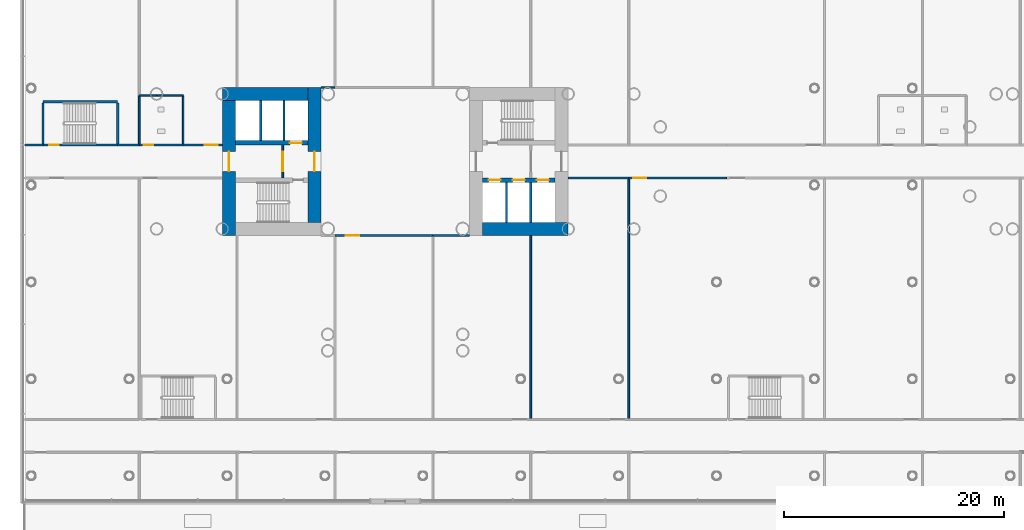
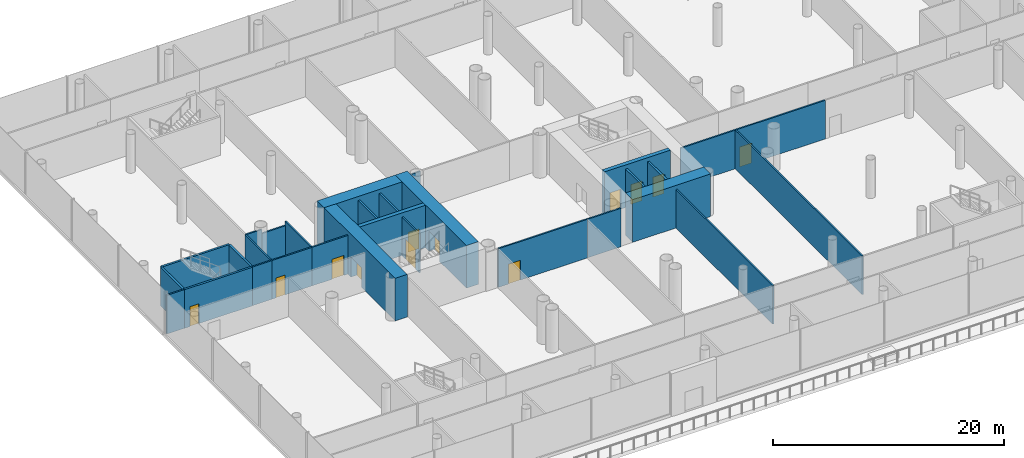
# One storey, part 18 of 49: 30 walls, 12 doors, 12 openings.
"""IFC4 building model written with IfcOpenShell, lengths in metres."""

import ifcopenshell
import ifcopenshell.guid

model = None  # the IFC model being written
_history = None  # IfcOwnerHistory: only IFC2X3 demands one
_inside = {}  # id of a spatial element -> (the spatial element, [elements in it])
_under = {}  # id of a project, library or spatial element -> (it, [spatial elements below it])
_declared = {}  # id of a project -> (the project, [libraries it declares])
_typed = {}  # id of a type object -> (the type object, [elements of that type])
_made_of = {}  # id of a material, layer set ... -> (it, [elements and type objects made of it])


def new_model(schema):
    """Start an empty IFC model of exactly this schema.

    Asked for "IFC4X3", IfcOpenShell would pick the latest addendum, in which some entities
    have other attributes; the version numbers below select the first issue.
    IFC2X3 requires an IfcOwnerHistory on every rooted entity: one is made here for all.
    """
    global model, _history
    if schema == "IFC4X3":
        model = ifcopenshell.file(schema_version=(4, 3, 0, 0))
    else:
        model = ifcopenshell.file(schema=schema)
    _inside.clear()
    _under.clear()
    _declared.clear()
    _typed.clear()
    _made_of.clear()
    _history = None
    if model.schema == "IFC2X3":
        org = make("IfcOrganization", Name="unknown")
        user = make(
            "IfcPersonAndOrganization",
            ThePerson=make("IfcPerson", FamilyName="unknown"),
            TheOrganization=org,
        )
        app = make(
            "IfcApplication",
            ApplicationDeveloper=org,
            Version="unknown",
            ApplicationFullName="unknown",
            ApplicationIdentifier="unknown",
        )
        _history = make(
            "IfcOwnerHistory",
            OwningUser=user,
            OwningApplication=app,
            ChangeAction="ADDED",
            CreationDate=0,
        )
    return model


def make(cls, **values):
    """One entity of the class cls with the attributes given. An attribute that is None is left unset."""
    return model.create_entity(
        cls, **{name: value for name, value in values.items() if value is not None}
    )


def rooted(cls, **values):
    """An entity with a GlobalId (a new one), such as an element, a storey or a relation."""
    return make(cls, GlobalId=ifcopenshell.guid.new(), OwnerHistory=_history, **values)


def si_unit(unit_type, name, prefix=None):
    """IfcSIUnit, for example si_unit("LENGTHUNIT", "METRE", prefix="MILLI")."""
    return make("IfcSIUnit", UnitType=unit_type, Prefix=prefix, Name=name)


def assignment(units):
    """IfcUnitAssignment: the units of a project."""
    return None if units is None else make("IfcUnitAssignment", Units=units)


def point(xyz):
    """IfcCartesianPoint."""
    return None if xyz is None else make("IfcCartesianPoint", Coordinates=xyz)


def direction(xyz):
    """IfcDirection."""
    return None if xyz is None else make("IfcDirection", DirectionRatios=xyz)


def frame(location, z_axis=None, x_axis=None):
    """IfcAxis2Placement3D, a coordinate frame: its origin and axes. An axis left out is left unset."""
    return make(
        "IfcAxis2Placement3D",
        Location=point(location),
        Axis=direction(z_axis),
        RefDirection=direction(x_axis),
    )


def frame_2d(location, x_axis=None):
    """IfcAxis2Placement2D, a coordinate frame in the plane: its origin and x axis."""
    return make(
        "IfcAxis2Placement2D", Location=point(location), RefDirection=direction(x_axis)
    )


def origin():
    """The frame at (0, 0, 0) with its axes left unset."""
    return frame((0.0, 0.0, 0.0))


def place(relative_to, where):
    """IfcLocalPlacement: puts the frame where relative to a parent placement (None: the world)."""
    return make(
        "IfcLocalPlacement", PlacementRelTo=relative_to, RelativePlacement=where
    )


def context(
    kind, dimensions, precision=None, world=None, true_north=None, identifier=None
):
    """IfcGeometricRepresentationContext, for example the 3D "Model" context."""
    return make(
        "IfcGeometricRepresentationContext",
        ContextIdentifier=identifier,
        ContextType=kind,
        CoordinateSpaceDimension=dimensions,
        Precision=precision,
        WorldCoordinateSystem=world,
        TrueNorth=true_north,
    )


def subcontext(parent, identifier, kind, view, scale=None):
    """IfcGeometricRepresentationSubContext, for example "Body" below "Model"."""
    return make(
        "IfcGeometricRepresentationSubContext",
        ContextIdentifier=identifier,
        ContextType=kind,
        ParentContext=parent,
        TargetScale=scale,
        TargetView=view,
    )


def project(units=None, contexts=None):
    """IfcProject with its units and contexts."""
    return rooted(
        "IfcProject",
        Name="project",
        RepresentationContexts=contexts,
        UnitsInContext=assignment(units),
    )


def spatial(cls, under=None, at=None, **own):
    """A site, building, storey or space (cls), placed at a placement, below another one or the project."""
    s = rooted(cls, ObjectPlacement=at, **own)
    if under is not None:
        _under.setdefault(under.id(), (under, []))[1].append(s)
    return s


def profile(cls, at=None, kind="AREA", **sizes):
    """A parametric profile (cls). Its sizes go by their IFC names, for example OverallWidth=200.0."""
    return make(cls, ProfileType=kind, Position=at, **sizes)


def rectangle(**sizes):
    """IfcRectangleProfileDef."""
    return profile("IfcRectangleProfileDef", **sizes)


def extrude(swept, where, along, depth):
    """IfcExtrudedAreaSolid: the profile swept, set in the frame where, extruded along a direction by depth."""
    return make(
        "IfcExtrudedAreaSolid",
        SweptArea=swept,
        Position=where,
        ExtrudedDirection=direction(along),
        Depth=depth,
    )


def shape(context_of_items, identifier, shape_type, items):
    """IfcShapeRepresentation: the items that make up one representation, for example the "Body"."""
    return make(
        "IfcShapeRepresentation",
        ContextOfItems=context_of_items,
        RepresentationIdentifier=identifier,
        RepresentationType=shape_type,
        Items=items,
    )


def material(Name=None, Category=None):
    """IfcMaterial."""
    return make("IfcMaterial", Name=Name, Category=Category)


def layer(
    of_material, thickness, ventilated=None, Name=None, Category=None, Priority=None
):
    """IfcMaterialLayer: one layer of a wall or slab, of a material (None: an air gap)."""
    return make(
        "IfcMaterialLayer",
        Material=of_material,
        LayerThickness=thickness,
        IsVentilated=ventilated,
        Name=Name,
        Category=Category,
        Priority=Priority,
    )


def layer_set(layers, Name=None):
    """IfcMaterialLayerSet."""
    return make("IfcMaterialLayerSet", MaterialLayers=layers, LayerSetName=Name)


def made_of(thing, what):
    """Note that an element or type object is made of a material, layer set ...; save() writes the relation."""
    if what is not None:
        _made_of.setdefault(what.id(), (what, []))[1].append(thing)
    return thing


def type_object(cls, material=None, **own):
    """A type object (cls), such as IfcWallType, which elements share."""
    return made_of(rooted(cls, **own), material)


def element(
    cls,
    number,
    at=None,
    inside=None,
    cuts=None,
    type_object=None,
    material=None,
    context=None,
    identifier="Body",
    shape_type=None,
    held_by="IfcProductDefinitionShape",
    body=None,
    shapes=None,
    **own,
):
    """One element of the class cls, such as IfcWall. Its Tag is "e" and its number.

    at: its placement. inside: the storey or other place that contains it. cuts: it is an
    opening in that element (IfcRelVoidsElement). A single representation is given by context,
    identifier, shape_type and body (its items); several are given by shapes. held_by: the class
    of the entity that holds the representations. save() writes the other relations.
    """
    e = rooted(cls, Tag="e%d" % number, ObjectPlacement=at, **own)
    if body is not None:
        shapes = [shape(context, identifier, shape_type, body)]
    if shapes is not None:
        e.Representation = make(held_by, Representations=shapes)
    if inside is not None:
        _inside.setdefault(inside.id(), (inside, []))[1].append(e)
    if cuts is not None:
        rooted(
            "IfcRelVoidsElement", RelatingBuildingElement=cuts, RelatedOpeningElement=e
        )
    if type_object is not None:
        _typed.setdefault(type_object.id(), (type_object, []))[1].append(e)
    return made_of(e, material)


def fill(opening, filler):
    """IfcRelFillsElement: the door or window that sits in an opening."""
    return rooted(
        "IfcRelFillsElement",
        RelatingOpeningElement=opening,
        RelatedBuildingElement=filler,
    )


def aggregate(whole, parts):
    """IfcRelAggregates: a whole, such as a stair, and the parts it consists of."""
    return rooted("IfcRelAggregates", RelatingObject=whole, RelatedObjects=parts)


def save(model, path):
    """Write the relations noted so far, then the file.

    IfcRelAggregates (storeys below a building ...), IfcRelContainedInSpatialStructure (elements
    in a storey), IfcRelDefinesByType, IfcRelAssociatesMaterial and IfcRelDeclares: one each for
    every whole, place, type object, material and project.
    """
    for whole, parts in _under.values():
        aggregate(whole, parts)
    for where, things in _inside.values():
        rooted(
            "IfcRelContainedInSpatialStructure",
            RelatedElements=things,
            RelatingStructure=where,
        )
    for kind, things in _typed.values():
        rooted("IfcRelDefinesByType", RelatedObjects=things, RelatingType=kind)
    for what, things in _made_of.values():
        rooted("IfcRelAssociatesMaterial", RelatedObjects=things, RelatingMaterial=what)
    for by, libraries in _declared.values():
        rooted("IfcRelDeclares", RelatingContext=by, RelatedDefinitions=libraries)
    model.write(path)


model = new_model("IFC4")

# Units and contexts
model_context = context("Model", 3, precision=1e-05, world=origin(), true_north=direction((0.0, 1.0)))
body_context = subcontext(model_context, "Body", "Model", "MODEL_VIEW")
ifc_project = project(units=[si_unit("LENGTHUNIT", "METRE"), si_unit("AREAUNIT", "SQUARE_METRE"), si_unit("VOLUMEUNIT", "CUBIC_METRE"), si_unit("PLANEANGLEUNIT", "RADIAN"), si_unit("MASSUNIT", "GRAM", prefix="KILO")], contexts=[model_context])

# Site, building, storey
site_placement = place(None, origin())
site = spatial("IfcSite", under=ifc_project, at=site_placement, CompositionType="ELEMENT")
building_placement = place(site_placement, origin())
building = spatial("IfcBuilding", under=site, at=building_placement, Name="Ipe Terrace Towers", CompositionType="ELEMENT")
storey_placement = place(building_placement, frame((0.0, 0.0, 20.0)))
storey = spatial("IfcBuildingStorey", under=building, at=storey_placement, Name="L04", CompositionType="ELEMENT", Elevation=20.0)

# Wall, opening, door
ifc_material_1 = material(Name="Gypsum board partition", Category="plasterboard")
ifc_layer_1 = layer(ifc_material_1, 0.14990234375)
ifc_layer_set_1 = layer_set([ifc_layer_1], Name="Gypsum board partition 150 mm")
wall_type_1 = type_object("IfcWallType", Name="Gypsum board partition 150 mm", PredefinedType="PARTITIONING", material=ifc_layer_set_1)
wall_1_placement = place(storey_placement, frame((-46.25, 1.5, 0.0), z_axis=(0.0, 0.0, 1.0), x_axis=(0.0, -1.0, 0.0)))
wall_1 = element("IfcWall", 1, at=wall_1_placement, inside=storey, type_object=wall_type_1, Name="Gypsum board partition T1 L04 t1c2-lobby-wall", PredefinedType="PARTITIONING", context=body_context, shape_type="SweptSolid", body=[
    extrude(rectangle(XDim=3.0, YDim=0.14990234375, at=frame_2d((1.5, 0.0))), origin(), (0.0, 0.0, 1.0), 4.074951171875),
])
opening_1_placement = place(wall_1_placement, frame((0.60009765625, 0.0, 0.0)))
opening_1 = element("IfcOpeningElement", 2, at=opening_1_placement, cuts=wall_1, Name="Opening T1C2-VD", PredefinedType="OPENING", context=body_context, shape_type="SweptSolid", body=[
    extrude(rectangle(XDim=1.800048828125, YDim=2.10009765625, at=frame_2d((0.89990234375, 1.050048828125))), frame((0.0, 0.0849609375, 0.0), z_axis=(0.0, -1.0, 0.0), x_axis=(1.0, 0.0, 0.0)), (0.0, 0.0, 1.0), 0.169921875),
])
ifc_material_2 = material(Name="Fire-rated timber door leaf", Category="wood")
door_type_1 = type_object("IfcDoorType", Name="Lobby door 1800 x 2100 FD60", OperationType="NOTDEFINED", PredefinedType="DOOR", material=ifc_material_2)
door_1_placement = place(opening_1_placement, origin())
door_1 = element("IfcDoor", 3, at=door_1_placement, inside=storey, type_object=door_type_1, Name="Lobby door T1C2-VD", OperationType="SINGLE_SWING_LEFT", OverallHeight=2.10009765625, OverallWidth=1.800048828125, PredefinedType="DOOR", context=body_context, shape_type="SweptSolid", body=[
    extrude(rectangle(XDim=1.800048828125, YDim=2.10009765625, at=frame_2d((0.89990234375, 1.050048828125))), frame((0.0, 0.02490234375, 0.0), z_axis=(0.0, -1.0, 0.0), x_axis=(1.0, 0.0, 0.0)), (0.0, 0.0, 1.0), 0.050048828125),
])
fill(opening_1, door_1)

# Walls
wall_2_placement = place(storey_placement, frame((-59.330078125, 1.5, 0.0), z_axis=(0.0, 0.0, 1.0), x_axis=(-1.0, 0.0, 0.0)))
element("IfcWall", 4, at=wall_2_placement, inside=storey, type_object=wall_type_1, Name="Gypsum board partition T1 L04 pd-r2-w5", PredefinedType="PARTITIONING", context=body_context, shape_type="SweptSolid", body=[
    extrude(rectangle(XDim=1.9599609375, YDim=0.14990234375, at=frame_2d((0.97998046875, 0.0))), origin(), (0.0, 0.0, 1.0), 4.074951171875),
])
wall_3_placement = place(storey_placement, frame((-68.090087890625, 1.5, 0.0), z_axis=(0.0, 0.0, 1.0), x_axis=(-1.0, 0.0, 0.0)))
element("IfcWall", 5, at=wall_3_placement, inside=storey, type_object=wall_type_1, Name="Gypsum board partition T1 L04 pd-r2-w6", PredefinedType="PARTITIONING", context=body_context, shape_type="SweptSolid", body=[
    extrude(rectangle(XDim=1.760009765625, YDim=0.14990234375, at=frame_2d((0.8798828125, 0.0))), origin(), (0.0, 0.0, 1.0), 4.074951171875),
])

# Wall, opening, door
wall_4_placement = place(storey_placement, frame((-51.75, 1.5, 0.0), z_axis=(0.0, 0.0, 1.0), x_axis=(-1.0, 0.0, 0.0)))
wall_4 = element("IfcWall", 6, at=wall_4_placement, inside=storey, type_object=wall_type_1, Name="Gypsum board partition T1 L04 pd-r7-w17", PredefinedType="PARTITIONING", context=body_context, shape_type="SweptSolid", body=[
    extrude(rectangle(XDim=3.580078125, YDim=0.14990234375, at=frame_2d((1.7900390625, 0.0))), origin(), (0.0, 0.0, 1.0), 4.074951171875),
])
opening_2_placement = place(wall_4_placement, frame((0.39990234375, 0.0, 0.0)))
opening_2 = element("IfcOpeningElement", 7, at=opening_2_placement, cuts=wall_4, Name="Opening PD-L04-r7", PredefinedType="OPENING", context=body_context, shape_type="SweptSolid", body=[
    extrude(rectangle(XDim=1.199951171875, YDim=2.10009765625, at=frame_2d((0.60009765625, 1.050048828125))), frame((0.0, 0.0849609375, 0.0), z_axis=(0.0, -1.0, 0.0), x_axis=(1.0, 0.0, 0.0)), (0.0, 0.0, 1.0), 0.169921875),
])
ifc_material_3 = material(Name="Fire-rated timber door leaf", Category="wood")
door_type_2 = type_object("IfcDoorType", Name="Lounge door 1200 x 2100 FD30S", OperationType="NOTDEFINED", PredefinedType="DOOR", material=ifc_material_3)
door_2_placement = place(opening_2_placement, origin())
door_2 = element("IfcDoor", 8, at=door_2_placement, inside=storey, type_object=door_type_2, Name="Lounge door PD-L04-r7", OperationType="SINGLE_SWING_RIGHT", OverallHeight=2.10009765625, OverallWidth=1.199951171875, PredefinedType="DOOR", context=body_context, shape_type="SweptSolid", body=[
    extrude(rectangle(XDim=1.199951171875, YDim=2.10009765625, at=frame_2d((0.60009765625, 1.050048828125))), frame((0.0, 0.02490234375, 0.0), z_axis=(0.0, -1.0, 0.0), x_axis=(1.0, 0.0, 0.0)), (0.0, 0.0, 1.0), 0.050048828125),
])
fill(opening_2, door_2)

# Wall
wall_5_placement = place(storey_placement, frame((-41.489990234375, 6.75, 0.0), z_axis=(0.0, 0.0, 1.0), x_axis=(-1.0, 0.0, 0.0)))
element("IfcWall", 9, at=wall_5_placement, inside=storey, type_object=wall_type_1, Name="Gypsum board partition T1 L04 pd-r11-w26", PredefinedType="PARTITIONING", context=body_context, shape_type="SweptSolid", body=[
    extrude(rectangle(XDim=1.260009765625, YDim=0.14990234375, at=frame_2d((0.6298828125, 0.0))), origin(), (0.0, 0.0, 1.0), 4.074951171875),
])

# Wall, opening, door
wall_6_placement = place(storey_placement, frame((-41.489990234375, -6.75, 0.0), z_axis=(0.0, 0.0, 1.0), x_axis=(1.0, 0.0, 0.0)))
wall_6 = element("IfcWall", 10, at=wall_6_placement, inside=storey, type_object=wall_type_1, Name="Gypsum board partition T1 L04 pd-r13-w32", PredefinedType="PARTITIONING", context=body_context, shape_type="SweptSolid", body=[
    extrude(rectangle(XDim=8.919921875, YDim=0.14990234375, at=frame_2d((4.4599609375, 0.0))), origin(), (0.0, 0.0, 1.0), 4.074951171875),
])
opening_3_placement = place(wall_6_placement, frame((1.0, 0.0, 0.0)))
opening_3 = element("IfcOpeningElement", 11, at=opening_3_placement, cuts=wall_6, Name="Opening PD-L04-r13", PredefinedType="OPENING", context=body_context, shape_type="SweptSolid", body=[
    extrude(rectangle(XDim=1.199951171875, YDim=2.10009765625, at=frame_2d((0.60009765625, 1.050048828125))), frame((0.0, 0.0849609375, 0.0), z_axis=(0.0, -1.0, 0.0), x_axis=(1.0, 0.0, 0.0)), (0.0, 0.0, 1.0), 0.169921875),
])
door_3_placement = place(opening_3_placement, origin())
door_3 = element("IfcDoor", 12, at=door_3_placement, inside=storey, type_object=door_type_2, Name="Lounge door PD-L04-r13", OperationType="SINGLE_SWING_RIGHT", OverallHeight=2.10009765625, OverallWidth=1.199951171875, PredefinedType="DOOR", context=body_context, shape_type="SweptSolid", body=[
    extrude(rectangle(XDim=1.199951171875, YDim=2.10009765625, at=frame_2d((0.60009765625, 1.050048828125))), frame((0.0, 0.02490234375, 0.0), z_axis=(0.0, -1.0, 0.0), x_axis=(1.0, 0.0, 0.0)), (0.0, 0.0, 1.0), 0.050048828125),
])
fill(opening_3, door_3)

# Walls
wall_7_placement = place(storey_placement, frame((-32.570068359375, -6.75, 0.0), z_axis=(0.0, 0.0, 1.0), x_axis=(1.0, 0.0, 0.0)))
element("IfcWall", 13, at=wall_7_placement, inside=storey, type_object=wall_type_1, Name="Gypsum board partition T1 L04 pd-r17-w43", PredefinedType="PARTITIONING", context=body_context, shape_type="SweptSolid", body=[
    extrude(rectangle(XDim=3.320068359375, YDim=0.14990234375, at=frame_2d((1.66015625, 0.0))), origin(), (0.0, 0.0, 1.0), 4.074951171875),
])
wall_8_placement = place(storey_placement, frame((-23.64990234375, -6.75, 0.0), z_axis=(0.0, 0.0, 1.0), x_axis=(0.0, -1.0, 0.0)))
element("IfcWall", 14, at=wall_8_placement, inside=storey, type_object=wall_type_1, Name="Gypsum board partition T1 L04 pd-r17-r22-w45", PredefinedType="PARTITIONING", context=body_context, shape_type="SweptSolid", body=[
    extrude(rectangle(XDim=16.75, YDim=0.14990234375, at=frame_2d((8.375, 0.0))), origin(), (0.0, 0.0, 1.0), 4.074951171875),
])
wall_9_placement = place(storey_placement, frame((-20.25, -1.5, 0.0), z_axis=(0.0, 0.0, 1.0), x_axis=(1.0, 0.0, 0.0)))
element("IfcWall", 15, at=wall_9_placement, inside=storey, type_object=wall_type_1, Name="Gypsum board partition T1 L04 pd-r22-w55", PredefinedType="PARTITIONING", context=body_context, shape_type="SweptSolid", body=[
    extrude(rectangle(XDim=5.52001953125, YDim=0.14990234375, at=frame_2d((2.760009765625, 0.0))), origin(), (0.0, 0.0, 1.0), 4.074951171875),
])
wall_10_placement = place(storey_placement, frame((-14.72998046875, -1.5, 0.0), z_axis=(0.0, 0.0, 1.0), x_axis=(0.0, -1.0, 0.0)))
element("IfcWall", 16, at=wall_10_placement, inside=storey, type_object=wall_type_1, Name="Gypsum board partition T1 L04 pd-r22-r25-w57", PredefinedType="PARTITIONING", context=body_context, shape_type="SweptSolid", body=[
    extrude(rectangle(XDim=22.0, YDim=0.14990234375, at=frame_2d((11.0, 0.0))), origin(), (0.0, 0.0, 1.0), 4.074951171875),
])

# Wall, opening, door
wall_11_placement = place(storey_placement, frame((-14.72998046875, -1.5, 0.0), z_axis=(0.0, 0.0, 1.0), x_axis=(1.0, 0.0, 0.0)))
wall_11 = element("IfcWall", 17, at=wall_11_placement, inside=storey, type_object=wall_type_1, Name="Gypsum board partition T1 L04 pd-r25-w62", PredefinedType="PARTITIONING", context=body_context, shape_type="SweptSolid", body=[
    extrude(rectangle(XDim=8.919921875, YDim=0.14990234375, at=frame_2d((4.4599609375, 0.0))), origin(), (0.0, 0.0, 1.0), 4.074951171875),
])
opening_4_placement = place(wall_11_placement, frame((0.39990234375, 0.0, 0.0)))
opening_4 = element("IfcOpeningElement", 18, at=opening_4_placement, cuts=wall_11, Name="Opening PD-L04-r25", PredefinedType="OPENING", context=body_context, shape_type="SweptSolid", body=[
    extrude(rectangle(XDim=1.199951171875, YDim=2.10009765625, at=frame_2d((0.60009765625, 1.050048828125))), frame((0.0, 0.0849609375, 0.0), z_axis=(0.0, -1.0, 0.0), x_axis=(1.0, 0.0, 0.0)), (0.0, 0.0, 1.0), 0.169921875),
])
door_4_placement = place(opening_4_placement, origin())
door_4 = element("IfcDoor", 19, at=door_4_placement, inside=storey, type_object=door_type_2, Name="Lounge door PD-L04-r25", OperationType="SINGLE_SWING_RIGHT", OverallHeight=2.10009765625, OverallWidth=1.199951171875, PredefinedType="DOOR", context=body_context, shape_type="SweptSolid", body=[
    extrude(rectangle(XDim=1.199951171875, YDim=2.10009765625, at=frame_2d((0.60009765625, 1.050048828125))), frame((0.0, 0.02490234375, 0.0), z_axis=(0.0, -1.0, 0.0), x_axis=(1.0, 0.0, 0.0)), (0.0, 0.0, 1.0), 0.050048828125),
])
fill(opening_4, door_4)

wall_12_placement = place(storey_placement, frame((-59.330078125, 1.5, 0.0), z_axis=(0.0, 0.0, 1.0), x_axis=(1.0, 0.0, 0.0)))
wall_12 = element("IfcWall", 20, at=wall_12_placement, inside=storey, type_object=wall_type_1, Name="Gypsum board partition T1 L04 pd-c0-w67", PredefinedType="PARTITIONING", context=body_context, shape_type="SweptSolid", body=[
    extrude(rectangle(XDim=4.0, YDim=0.14990234375, at=frame_2d((2.0, 0.0))), origin(), (0.0, 0.0, 1.0), 4.074951171875),
])
opening_5_placement = place(wall_12_placement, frame((0.39990234375, 0.0, 0.0)))
opening_5 = element("IfcOpeningElement", 21, at=opening_5_placement, cuts=wall_12, Name="Opening PD-L04-c0", PredefinedType="OPENING", context=body_context, shape_type="SweptSolid", body=[
    extrude(rectangle(XDim=0.89990234375, YDim=2.10009765625, at=frame_2d((0.449951171875, 1.050048828125))), frame((0.0, 0.0849609375, 0.0), z_axis=(0.0, -1.0, 0.0), x_axis=(1.0, 0.0, 0.0)), (0.0, 0.0, 1.0), 0.169921875),
])
ifc_material_4 = material(Name="Fire-rated timber door leaf", Category="wood")
door_type_3 = type_object("IfcDoorType", Name="Lounge door 900 x 2100 FD30S", OperationType="NOTDEFINED", PredefinedType="DOOR", material=ifc_material_4)
door_5_placement = place(opening_5_placement, origin())
door_5 = element("IfcDoor", 22, at=door_5_placement, inside=storey, type_object=door_type_3, Name="Lounge door PD-L04-c0", OperationType="SINGLE_SWING_LEFT", OverallHeight=2.10009765625, OverallWidth=0.89990234375, PredefinedType="DOOR", context=body_context, shape_type="SweptSolid", body=[
    extrude(rectangle(XDim=0.89990234375, YDim=2.10009765625, at=frame_2d((0.449951171875, 1.050048828125))), frame((0.0, 0.02490234375, 0.0), z_axis=(0.0, -1.0, 0.0), x_axis=(1.0, 0.0, 0.0)), (0.0, 0.0, 1.0), 0.050048828125),
])
fill(opening_5, door_5)

# Walls
for number, where, z_axis, x_axis, name in (
    (23, (-59.330078125, 6.0, 0.0), (0.0, 0.0, 1.0), (0.0, -1.0, 0.0), "Gypsum board partition T1 L04 pd-c0-r2-w68"),
    (24, (-55.330078125, 1.5, 0.0), (0.0, 0.0, 1.0), (0.0, 1.0, 0.0), "Gypsum board partition T1 L04 pd-c0-r7-w69"),
):
    element("IfcWall", number, at=place(storey_placement, frame(where, z_axis=z_axis, x_axis=x_axis)), inside=storey, type_object=wall_type_1, Name=name, PredefinedType="PARTITIONING", context=body_context, shape_type="SweptSolid", body=[
        extrude(rectangle(XDim=4.5, YDim=0.14990234375, at=frame_2d((2.25, 0.0))), origin(), (0.0, 0.0, 1.0), 4.074951171875),
    ])
wall_13_placement = place(storey_placement, frame((-55.330078125, 6.0, 0.0), z_axis=(0.0, 0.0, 1.0), x_axis=(-1.0, 0.0, 0.0)))
element("IfcWall", 25, at=wall_13_placement, inside=storey, type_object=wall_type_1, Name="Gypsum board partition T1 L04 pd-c0-r7-w70", PredefinedType="PARTITIONING", context=body_context, shape_type="SweptSolid", body=[
    extrude(rectangle(XDim=2.419921875, YDim=0.14990234375, at=frame_2d((1.2099609375, 0.0))), origin(), (0.0, 0.0, 1.0), 3.64990234375),
])
wall_14_placement = place(storey_placement, frame((-57.75, 6.0, 0.0), z_axis=(0.0, 0.0, 1.0), x_axis=(-1.0, 0.0, 0.0)))
element("IfcWall", 26, at=wall_14_placement, inside=storey, type_object=wall_type_1, Name="Gypsum board partition T1 L04 pd-c0-r7-w70-2", PredefinedType="PARTITIONING", context=body_context, shape_type="SweptSolid", body=[
    extrude(rectangle(XDim=1.580078125, YDim=0.14990234375, at=frame_2d((0.7900390625, 0.0))), origin(), (0.0, 0.0, 1.0), 4.074951171875),
])
ifc_material_5 = material(Name="Gypsum board party wall", Category="plasterboard")
ifc_layer_2 = layer(ifc_material_5, 0.199951171875)
ifc_layer_set_2 = layer_set([ifc_layer_2], Name="Gypsum board party wall 200 mm")
wall_type_2 = type_object("IfcWallType", Name="Gypsum board party wall 200 mm", PredefinedType="SOLIDWALL", material=ifc_layer_set_2)
for number, where, z_axis, x_axis, name in (
    (27, (-25.85009765625, -5.550048828125, 0.0), (0.0, 0.0, 1.0), (0.0, 1.0, 0.0), "Gypsum board party wall T1 L04 t1c1-shaft-div1"),
    (28, (-23.64990234375, -5.550048828125, 0.0), (0.0, 0.0, 1.0), (0.0, 1.0, 0.0), "Gypsum board party wall T1 L04 t1c1-shaft-div2"),
    (29, (-46.14990234375, 5.550048828125, 0.0), (0.0, 0.0, 1.0), (0.0, -1.0, 0.0), "Gypsum board party wall T1 L04 t1c2-shaft-div1"),
    (30, (-48.25, 5.550048828125, 0.0), (0.0, 0.0, 1.0), (0.0, -1.0, 0.0), "Gypsum board party wall T1 L04 t1c2-shaft-div2"),
):
    element("IfcWall", number, at=place(storey_placement, frame(where, z_axis=z_axis, x_axis=x_axis)), inside=storey, type_object=wall_type_2, Name=name, PredefinedType="SOLIDWALL", context=body_context, shape_type="SweptSolid", body=[
        extrude(rectangle(XDim=3.650146484375, YDim=0.199951171875, at=frame_2d((1.8251953125, 0.0))), origin(), (0.0, 0.0, 1.0), 4.074951171875),
    ])
ifc_material_6 = material(Name="Concrete C60/75", Category="concrete")
ifc_layer_3 = layer(ifc_material_6, 1.199951171875)
ifc_layer_set_3 = layer_set([ifc_layer_3], Name="RW1200 CORE WALL 1200 C60-75")
wall_type_3 = type_object("IfcWallType", Name="RW1200 CORE WALL 1200 C60-75", PredefinedType="SHEAR", material=ifc_layer_set_3)
wall_15_placement = place(storey_placement, frame((-28.050048828125, -6.14990234375, 0.0), z_axis=(0.0, 0.0, 1.0), x_axis=(1.0, 0.0, 0.0)))
element("IfcWall", 31, at=wall_15_placement, inside=storey, type_object=wall_type_3, Name="Core wall T1-C1-P-W01", PredefinedType="SHEAR", context=body_context, shape_type="SweptSolid", body=[
    extrude(rectangle(XDim=7.800048828125, YDim=1.199951171875, at=frame_2d((3.89990234375, 0.0))), origin(), (0.0, 0.0, 1.0), 4.5),
])

# Wall, opening, door
wall_16_placement = place(storey_placement, frame((-43.35009765625, -5.550048828125, 0.0), z_axis=(0.0, 0.0, 1.0), x_axis=(0.0, 1.0, 0.0)))
wall_16 = element("IfcWall", 32, at=wall_16_placement, inside=storey, type_object=wall_type_3, Name="Core wall T1-C2-P-W02", PredefinedType="SHEAR", context=body_context, shape_type="SweptSolid", body=[
    extrude(rectangle(XDim=12.300048828125, YDim=1.199951171875, at=frame_2d((6.14990234375, 0.0))), origin(), (0.0, 0.0, 1.0), 4.5),
])
opening_6_placement = place(wall_16_placement, frame((4.64990234375, 0.0, 0.0)))
opening_6 = element("IfcOpeningElement", 33, at=opening_6_placement, cuts=wall_16, Name="Opening T1C2-ND", PredefinedType="OPENING", context=body_context, shape_type="SweptSolid", body=[
    extrude(rectangle(XDim=1.800048828125, YDim=2.10009765625, at=frame_2d((0.89990234375, 1.050048828125))), frame((0.0, 0.60986328125, 0.0), z_axis=(0.0, -1.0, 0.0), x_axis=(1.0, 0.0, 0.0)), (0.0, 0.0, 1.0), 1.219970703125),
])
ifc_material_7 = material(Name="Fire-rated timber door leaf", Category="wood")
door_type_4 = type_object("IfcDoorType", Name="Fire door 1800 x 2100 FD30S", OperationType="NOTDEFINED", PredefinedType="DOOR", material=ifc_material_7)
door_6_placement = place(opening_6_placement, origin())
door_6 = element("IfcDoor", 34, at=door_6_placement, inside=storey, type_object=door_type_4, Name="Fire door T1C2-ND", OperationType="SINGLE_SWING_LEFT", OverallHeight=2.10009765625, OverallWidth=1.800048828125, PredefinedType="DOOR", context=body_context, shape_type="SweptSolid", body=[
    extrude(rectangle(XDim=1.800048828125, YDim=2.10009765625, at=frame_2d((0.89990234375, 1.050048828125))), frame((0.0, 0.02490234375, 0.0), z_axis=(0.0, -1.0, 0.0), x_axis=(1.0, 0.0, 0.0)), (0.0, 0.0, 1.0), 0.050048828125),
])
fill(opening_6, door_6)

# Wall
wall_17_placement = place(storey_placement, frame((-43.949951171875, 6.14990234375, 0.0), z_axis=(0.0, 0.0, 1.0), x_axis=(-1.0, 0.0, 0.0)))
element("IfcWall", 35, at=wall_17_placement, inside=storey, type_object=wall_type_3, Name="Core wall T1-C2-P-W03", PredefinedType="SHEAR", context=body_context, shape_type="SweptSolid", body=[
    extrude(rectangle(XDim=7.800048828125, YDim=1.199951171875, at=frame_2d((3.89990234375, 0.0))), origin(), (0.0, 0.0, 1.0), 4.5),
])

# Wall, opening, door
wall_18_placement = place(storey_placement, frame((-51.14990234375, 5.550048828125, 0.0), z_axis=(0.0, 0.0, 1.0), x_axis=(0.0, -1.0, 0.0)))
wall_18 = element("IfcWall", 36, at=wall_18_placement, inside=storey, type_object=wall_type_3, Name="Core wall T1-C2-P-W04", PredefinedType="SHEAR", context=body_context, shape_type="SweptSolid", body=[
    extrude(rectangle(XDim=12.300048828125, YDim=1.199951171875, at=frame_2d((6.14990234375, 0.0))), origin(), (0.0, 0.0, 1.0), 4.5),
])
opening_7_placement = place(wall_18_placement, frame((4.64990234375, 0.0, 0.0)))
opening_7 = element("IfcOpeningElement", 37, at=opening_7_placement, cuts=wall_18, Name="Opening T1C2-FD", PredefinedType="OPENING", context=body_context, shape_type="SweptSolid", body=[
    extrude(rectangle(XDim=1.800048828125, YDim=2.10009765625, at=frame_2d((0.89990234375, 1.050048828125))), frame((0.0, 0.60986328125, 0.0), z_axis=(0.0, -1.0, 0.0), x_axis=(1.0, 0.0, 0.0)), (0.0, 0.0, 1.0), 1.219970703125),
])
door_7_placement = place(opening_7_placement, origin())
door_7 = element("IfcDoor", 38, at=door_7_placement, inside=storey, type_object=door_type_4, Name="Fire door T1C2-FD", OperationType="SINGLE_SWING_LEFT", OverallHeight=2.10009765625, OverallWidth=1.800048828125, PredefinedType="DOOR", context=body_context, shape_type="SweptSolid", body=[
    extrude(rectangle(XDim=1.800048828125, YDim=2.10009765625, at=frame_2d((0.89990234375, 1.050048828125))), frame((0.0, 0.02490234375, 0.0), z_axis=(0.0, -1.0, 0.0), x_axis=(1.0, 0.0, 0.0)), (0.0, 0.0, 1.0), 0.050048828125),
])
fill(opening_7, door_7)

ifc_material_8 = material(Name="Concrete C40/50", Category="concrete")
ifc_layer_4 = layer(ifc_material_8, 0.199951171875)
ifc_layer_set_4 = layer_set([ifc_layer_4], Name="RW200 PODIUM STAIR SHAFT WALL 200 C40-50")
wall_type_4 = type_object("IfcWallType", Name="RW200 PODIUM STAIR SHAFT WALL 200 C40-50", PredefinedType="SHEAR", material=ifc_layer_set_4)
wall_19_placement = place(storey_placement, frame((-68.090087890625, 1.5, 0.0), z_axis=(0.0, 0.0, 1.0), x_axis=(1.0, 0.0, 0.0)))
wall_19 = element("IfcWall", 39, at=wall_19_placement, inside=storey, type_object=wall_type_4, Name="Stair shaft wall T1 L04 ps7-c", PredefinedType="SHEAR", context=body_context, shape_type="SweptSolid", body=[
    extrude(rectangle(XDim=6.800048828125, YDim=0.199951171875, at=frame_2d((3.39990234375, 0.0))), origin(), (0.0, 0.0, 1.0), 4.074951171875),
])
opening_8_placement = place(wall_19_placement, frame((0.550048828125, 0.0, 0.0)))
opening_8 = element("IfcOpeningElement", 40, at=opening_8_placement, cuts=wall_19, Name="Opening PS7-SD", PredefinedType="OPENING", context=body_context, shape_type="SweptSolid", body=[
    extrude(rectangle(XDim=0.89990234375, YDim=2.10009765625, at=frame_2d((0.449951171875, 1.050048828125))), frame((0.0, 0.10986328125, 0.0), z_axis=(0.0, -1.0, 0.0), x_axis=(1.0, 0.0, 0.0)), (0.0, 0.0, 1.0), 0.219970703125),
])
ifc_material_9 = material(Name="Fire-rated timber door leaf", Category="wood")
door_type_5 = type_object("IfcDoorType", Name="Stair door 900 x 2100 FD60", OperationType="NOTDEFINED", PredefinedType="DOOR", material=ifc_material_9)
door_8_placement = place(opening_8_placement, origin())
door_8 = element("IfcDoor", 41, at=door_8_placement, inside=storey, type_object=door_type_5, Name="Stair door PS7-SD", OperationType="SINGLE_SWING_RIGHT", OverallHeight=2.10009765625, OverallWidth=0.89990234375, PredefinedType="DOOR", context=body_context, shape_type="SweptSolid", body=[
    extrude(rectangle(XDim=0.89990234375, YDim=2.10009765625, at=frame_2d((0.449951171875, 1.050048828125))), frame((0.0, 0.02490234375, 0.0), z_axis=(0.0, -1.0, 0.0), x_axis=(1.0, 0.0, 0.0)), (0.0, 0.0, 1.0), 0.050048828125),
])
fill(opening_8, door_8)

# Walls
wall_20_placement = place(storey_placement, frame((-68.090087890625, 5.449951171875, 0.0), z_axis=(0.0, 0.0, 1.0), x_axis=(1.0, 0.0, 0.0)))
element("IfcWall", 42, at=wall_20_placement, inside=storey, type_object=wall_type_4, Name="Stair shaft wall T1 L04 ps7-f", PredefinedType="SHEAR", context=body_context, shape_type="SweptSolid", body=[
    extrude(rectangle(XDim=6.800048828125, YDim=0.199951171875, at=frame_2d((3.39990234375, 0.0))), origin(), (0.0, 0.0, 1.0), 4.074951171875),
])
for number, where, z_axis, x_axis, name in (
    (43, (-68.090087890625, 1.60009765625, 0.0), (0.0, 0.0, 1.0), (0.0, 1.0, 0.0), "Stair shaft wall T1 L04 ps7-w"),
    (44, (-61.2900390625, 1.60009765625, 0.0), (0.0, 0.0, 1.0), (0.0, 1.0, 0.0), "Stair shaft wall T1 L04 ps7-e"),
):
    element("IfcWall", number, at=place(storey_placement, frame(where, z_axis=z_axis, x_axis=x_axis)), inside=storey, type_object=wall_type_4, Name=name, PredefinedType="SHEAR", context=body_context, shape_type="SweptSolid", body=[
        extrude(rectangle(XDim=3.75, YDim=0.199951171875, at=frame_2d((1.875, 0.0))), origin(), (0.0, 0.0, 1.0), 4.074951171875),
    ])

# Wall, openings, doors
ifc_material_10 = material(Name="Concrete C60/75", Category="concrete")
ifc_layer_5 = layer(ifc_material_10, 0.39990234375)
ifc_layer_set_5 = layer_set([ifc_layer_5], Name="RW400 CORE SPINE WALL 400 C60-75")
wall_type_5 = type_object("IfcWallType", Name="RW400 CORE SPINE WALL 400 C60-75", PredefinedType="SHEAR", material=ifc_layer_set_5)
wall_21_placement = place(storey_placement, frame((-28.050048828125, -1.699951171875, 0.0), z_axis=(0.0, 0.0, 1.0), x_axis=(1.0, 0.0, 0.0)))
wall_21 = element("IfcWall", 45, at=wall_21_placement, inside=storey, type_object=wall_type_5, Name="Core spine wall T1-C1-P-SW1", PredefinedType="SHEAR", context=body_context, shape_type="SweptSolid", body=[
    extrude(rectangle(XDim=6.60009765625, YDim=0.39990234375, at=frame_2d((3.300048828125, 0.0))), origin(), (0.0, 0.0, 1.0), 4.5),
])
opening_9_placement = place(wall_21_placement, frame((0.550048828125, 0.0, 0.0)))
opening_9 = element("IfcOpeningElement", 46, at=opening_9_placement, cuts=wall_21, Name="Opening T1C1-LD1", PredefinedType="OPENING", context=body_context, shape_type="SweptSolid", body=[
    extrude(rectangle(XDim=1.10009765625, YDim=2.10009765625, at=frame_2d((0.550048828125, 1.050048828125))), frame((0.0, 0.2099609375, 0.0), z_axis=(0.0, -1.0, 0.0), x_axis=(1.0, 0.0, 0.0)), (0.0, 0.0, 1.0), 0.419921875),
])
opening_10_placement = place(wall_21_placement, frame((2.75, 0.0, 0.0)))
opening_10 = element("IfcOpeningElement", 47, at=opening_10_placement, cuts=wall_21, Name="Opening T1C1-LD2", PredefinedType="OPENING", context=body_context, shape_type="SweptSolid", body=[
    extrude(rectangle(XDim=1.10009765625, YDim=2.10009765625, at=frame_2d((0.550048828125, 1.050048828125))), frame((0.0, 0.2099609375, 0.0), z_axis=(0.0, -1.0, 0.0), x_axis=(1.0, 0.0, 0.0)), (0.0, 0.0, 1.0), 0.419921875),
])
opening_11_placement = place(wall_21_placement, frame((4.949951171875, 0.0, 0.0)))
opening_11 = element("IfcOpeningElement", 48, at=opening_11_placement, cuts=wall_21, Name="Opening T1C1-LD3", PredefinedType="OPENING", context=body_context, shape_type="SweptSolid", body=[
    extrude(rectangle(XDim=1.10009765625, YDim=2.10009765625, at=frame_2d((0.550048828125, 1.050048828125))), frame((0.0, 0.2099609375, 0.0), z_axis=(0.0, -1.0, 0.0), x_axis=(1.0, 0.0, 0.0)), (0.0, 0.0, 1.0), 0.419921875),
])
ifc_material_11 = material(Name="Fire-rated timber door leaf", Category="wood")
door_type_6 = type_object("IfcDoorType", Name="Sliding door 1100 x 2100 FD60", OperationType="SLIDING_TO_LEFT", PredefinedType="DOOR", material=ifc_material_11)
door_9_placement = place(opening_9_placement, origin())
door_9 = element("IfcDoor", 49, at=door_9_placement, inside=storey, type_object=door_type_6, Name="Sliding door T1C1-LD1", OperationType="SLIDING_TO_LEFT", OverallHeight=2.10009765625, OverallWidth=1.10009765625, PredefinedType="DOOR", context=body_context, shape_type="SweptSolid", body=[
    extrude(rectangle(XDim=1.10009765625, YDim=2.10009765625, at=frame_2d((0.550048828125, 1.050048828125))), frame((0.0, 0.02490234375, 0.0), z_axis=(0.0, -1.0, 0.0), x_axis=(1.0, 0.0, 0.0)), (0.0, 0.0, 1.0), 0.050048828125),
])
fill(opening_9, door_9)
door_10_placement = place(opening_10_placement, origin())
door_10 = element("IfcDoor", 50, at=door_10_placement, inside=storey, type_object=door_type_6, Name="Sliding door T1C1-LD2", OperationType="SLIDING_TO_LEFT", OverallHeight=2.10009765625, OverallWidth=1.10009765625, PredefinedType="DOOR", context=body_context, shape_type="SweptSolid", body=[
    extrude(rectangle(XDim=1.10009765625, YDim=2.10009765625, at=frame_2d((0.550048828125, 1.050048828125))), frame((0.0, 0.02490234375, 0.0), z_axis=(0.0, -1.0, 0.0), x_axis=(1.0, 0.0, 0.0)), (0.0, 0.0, 1.0), 0.050048828125),
])
fill(opening_10, door_10)
door_11_placement = place(opening_11_placement, origin())
door_11 = element("IfcDoor", 51, at=door_11_placement, inside=storey, type_object=door_type_6, Name="Sliding door T1C1-LD3", OperationType="SLIDING_TO_LEFT", OverallHeight=2.10009765625, OverallWidth=1.10009765625, PredefinedType="DOOR", context=body_context, shape_type="SweptSolid", body=[
    extrude(rectangle(XDim=1.10009765625, YDim=2.10009765625, at=frame_2d((0.550048828125, 1.050048828125))), frame((0.0, 0.02490234375, 0.0), z_axis=(0.0, -1.0, 0.0), x_axis=(1.0, 0.0, 0.0)), (0.0, 0.0, 1.0), 0.050048828125),
])
fill(opening_11, door_11)

# Wall, opening, door
wall_22_placement = place(storey_placement, frame((-50.550048828125, 1.699951171875, 0.0), z_axis=(0.0, 0.0, 1.0), x_axis=(1.0, 0.0, 0.0)))
wall_22 = element("IfcWall", 52, at=wall_22_placement, inside=storey, type_object=wall_type_5, Name="Core spine wall T1-C2-P-SW2", PredefinedType="SHEAR", context=body_context, shape_type="SweptSolid", body=[
    extrude(rectangle(XDim=6.60009765625, YDim=0.39990234375, at=frame_2d((3.300048828125, 0.0))), origin(), (0.0, 0.0, 1.0), 4.5),
])
opening_12_placement = place(wall_22_placement, frame((4.949951171875, 0.0, 0.0)))
opening_12 = element("IfcOpeningElement", 53, at=opening_12_placement, cuts=wall_22, Name="Opening T1C2-LD1", PredefinedType="OPENING", context=body_context, shape_type="SweptSolid", body=[
    extrude(rectangle(XDim=1.10009765625, YDim=2.10009765625, at=frame_2d((0.550048828125, 1.050048828125))), frame((0.0, 0.2099609375, 0.0), z_axis=(0.0, -1.0, 0.0), x_axis=(1.0, 0.0, 0.0)), (0.0, 0.0, 1.0), 0.419921875),
])
door_12_placement = place(opening_12_placement, origin())
door_12 = element("IfcDoor", 54, at=door_12_placement, inside=storey, type_object=door_type_6, Name="Sliding door T1C2-LD1", OperationType="SLIDING_TO_LEFT", OverallHeight=2.10009765625, OverallWidth=1.10009765625, PredefinedType="DOOR", context=body_context, shape_type="SweptSolid", body=[
    extrude(rectangle(XDim=1.10009765625, YDim=2.10009765625, at=frame_2d((0.550048828125, 1.050048828125))), frame((0.0, 0.02490234375, 0.0), z_axis=(0.0, -1.0, 0.0), x_axis=(1.0, 0.0, 0.0)), (0.0, 0.0, 1.0), 0.050048828125),
])
fill(opening_12, door_12)

save(model, "model.ifc")
